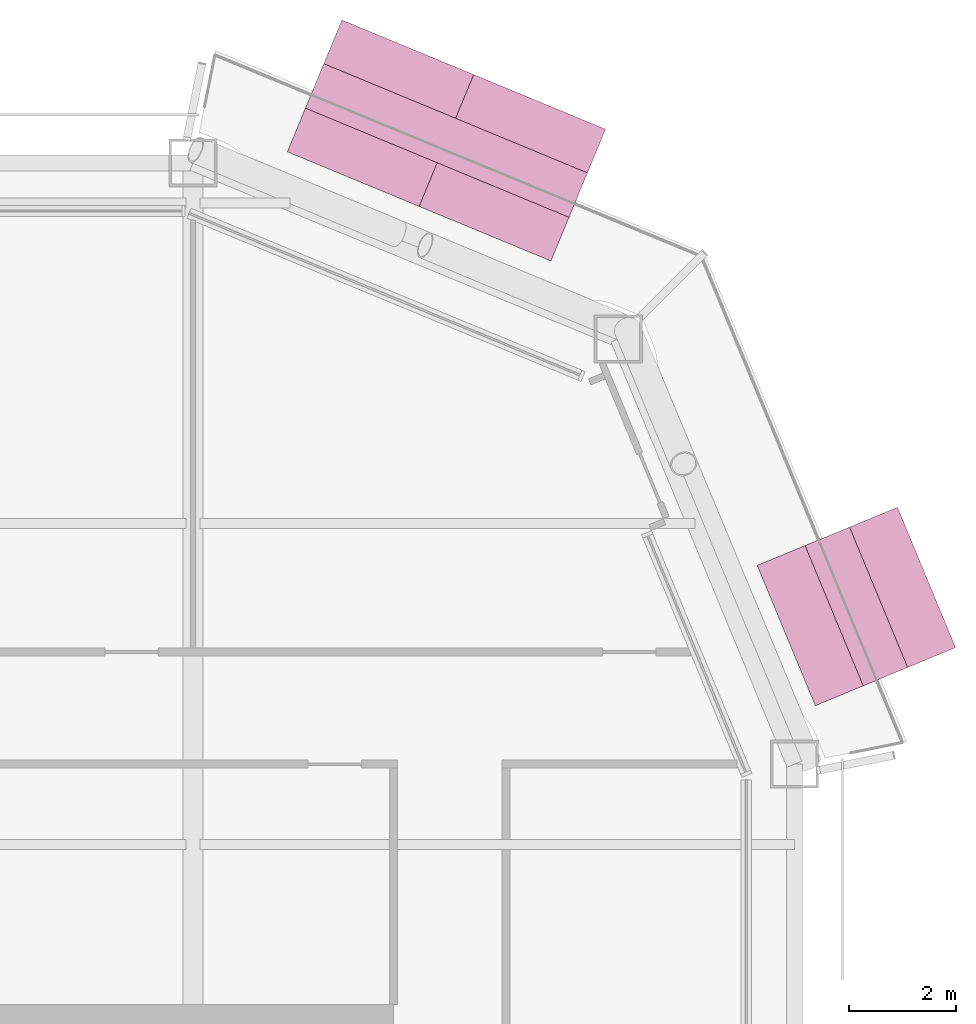
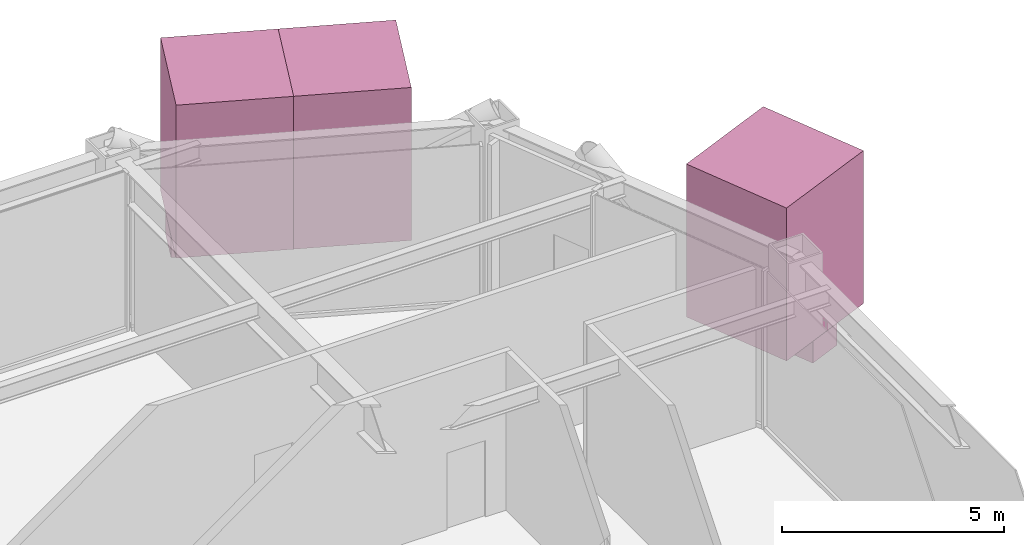
# One storey, part 23 of 23: 5 furnishings.
"""IFC4 building model written with IfcOpenShell, lengths in metres."""

from ifc_helpers import new_model, si_unit, direction, frame, origin, origin_2d, place, context, subcontext, project, spatial, rectangle, extrude, material, type_object, element, save


model = new_model("IFC4")

# Units and contexts
model_context = context("Model", 3, precision=1e-05, world=origin(), true_north=direction((0.0, 1.0)))
body_context = subcontext(model_context, "Body", "Model", "MODEL_VIEW")
ifc_project = project(units=[si_unit("LENGTHUNIT", "METRE"), si_unit("AREAUNIT", "SQUARE_METRE"), si_unit("VOLUMEUNIT", "CUBIC_METRE"), si_unit("PLANEANGLEUNIT", "RADIAN"), si_unit("MASSUNIT", "GRAM", prefix="KILO")], contexts=[model_context])

# Site, building, storey
site_placement = place(None, origin())
site = spatial("IfcSite", under=ifc_project, at=site_placement, CompositionType="ELEMENT")
building_placement = place(site_placement, origin())
building = spatial("IfcBuilding", under=site, at=building_placement, Name="Siwar Civic Tower", CompositionType="ELEMENT")
storey_placement = place(building_placement, frame((0.0, 0.0, 167.699951171875)))
storey = spatial("IfcBuildingStorey", under=building, at=storey_placement, Name="L36", CompositionType="ELEMENT", Elevation=167.699951171875)

# Furnishings
ifc_material_1 = material(Name="Planting soil and foliage")
furnishing_element_type_1 = type_object("IfcFurnishingElementType", Name="ENV-PLANTER", material=ifc_material_1)
furnishing_1_placement = place(storey_placement, frame((30.409423828125, 20.949951171875, 0.0), z_axis=(0.0, 0.0, 1.0), x_axis=(-0.382683432365, 0.923879532511, 0.0)))
element("IfcFurnishingElement", 1, at=furnishing_1_placement, inside=storey, type_object=furnishing_element_type_1, Name="PLANTER NE 1", context=body_context, shape_type="SweptSolid", body=[
    extrude(rectangle(XDim=2.84130859375, YDim=0.89990234375, at=origin_2d()), origin(), (0.0, 0.0, 1.0), 0.60009765625),
])
furnishing_2_placement = place(storey_placement, frame((22.73974609375, 29.66796875, 0.0), z_axis=(0.0, 0.0, 1.0), x_axis=(-0.923879532511, 0.382683432365, 0.0)))
element("IfcFurnishingElement", 2, at=furnishing_2_placement, inside=storey, type_object=furnishing_element_type_1, Name="PLANTER NE 2", context=body_context, shape_type="SweptSolid", body=[
    extrude(rectangle(XDim=5.33837890625, YDim=0.89990234375, at=origin_2d()), origin(), (0.0, 0.0, 1.0), 0.60009765625),
])
ifc_material_2 = material(Name="Planting soil and foliage")
furnishing_element_type_2 = type_object("IfcFurnishingElementType", Name="ENV-TREE", material=ifc_material_2)
furnishing_3_placement = place(storey_placement, frame((30.409423828125, 20.949951171875, 0.60009765625), z_axis=(0.0, 0.0, 1.0), x_axis=(-0.382683432365, 0.923879532511, 0.0)))
element("IfcFurnishingElement", 3, at=furnishing_3_placement, inside=storey, type_object=furnishing_element_type_2, Name="PLANTER (TREE) NE 1.1", context=body_context, shape_type="SweptSolid", body=[
    extrude(rectangle(XDim=2.84130859375, YDim=2.84130859375, at=origin_2d()), origin(), (0.0, 0.0, 1.0), 4.199951171875),
])
for number, where, z_axis, x_axis, name in (
    (4, (23.972900390625, 29.1572265625, 0.60009765625), (0.0, 0.0, 1.0), (-0.923879532511, 0.382683432365, 0.0), "PLANTER (TREE) NE 2.1"),
    (5, (21.5068359375, 30.1787109375, 0.60009765625), (0.0, 0.0, 1.0), (-0.923879532511, 0.382683432365, 0.0), "PLANTER (TREE) NE 2.2"),
):
    element("IfcFurnishingElement", number, at=place(storey_placement, frame(where, z_axis=z_axis, x_axis=x_axis)), inside=storey, type_object=furnishing_element_type_2, Name=name, context=body_context, shape_type="SweptSolid", body=[
        extrude(rectangle(XDim=2.669189453125, YDim=2.669189453125, at=origin_2d()), origin(), (0.0, 0.0, 1.0), 4.199951171875),
    ])

save(model, "model.ifc")
